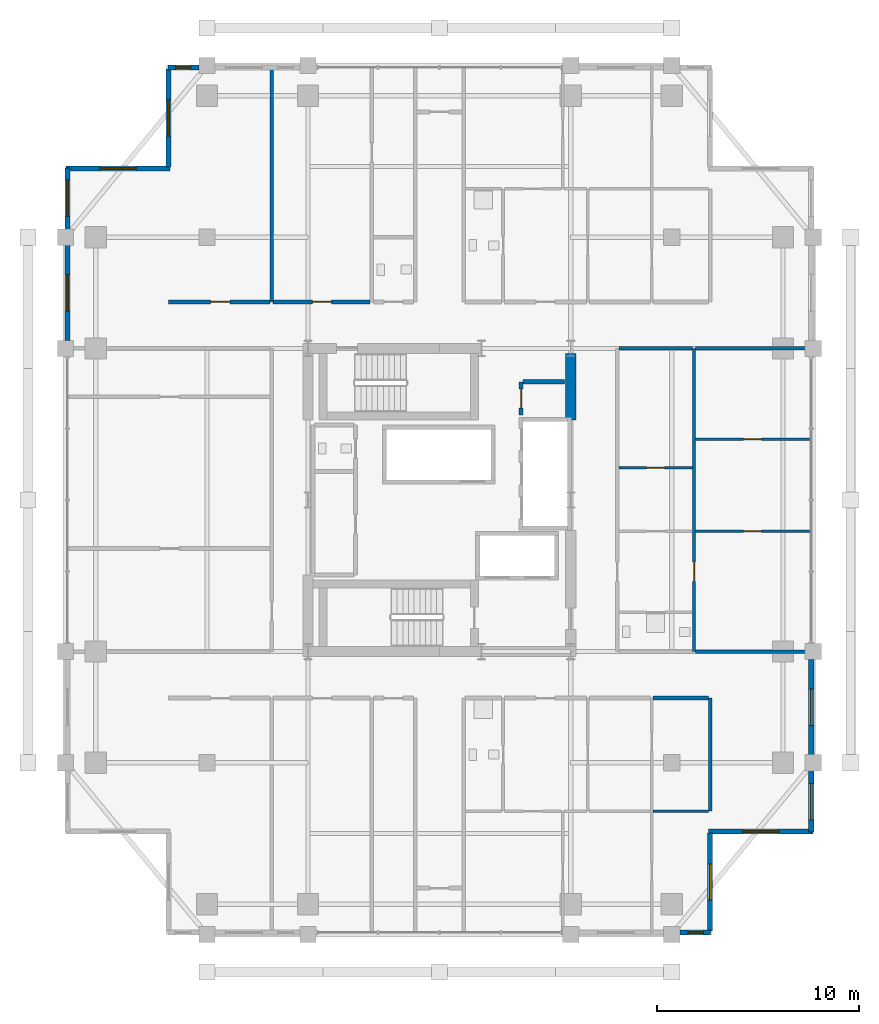
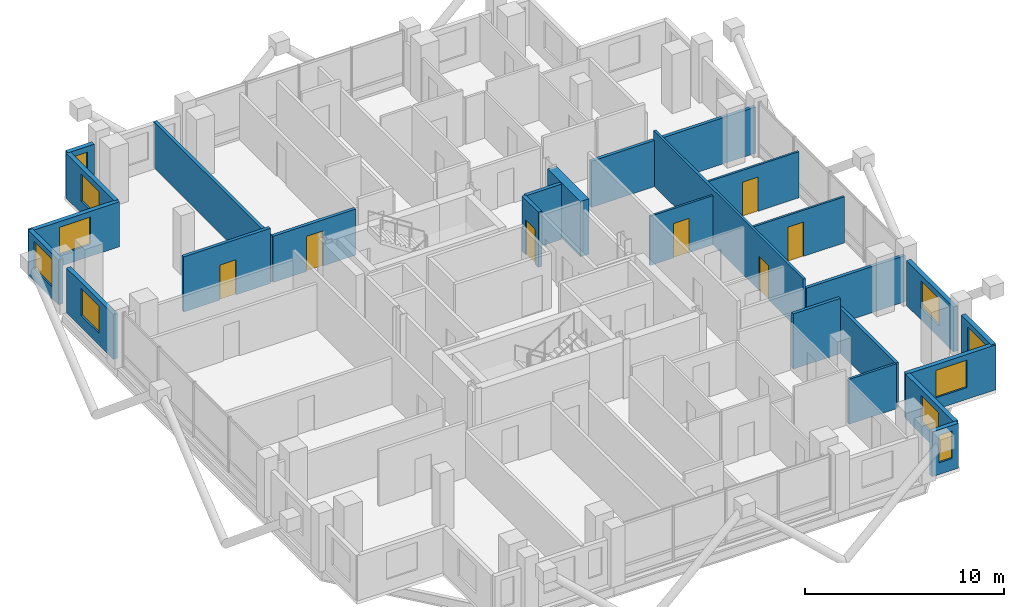
# One storey, part 20 of 24: 26 walls, 10 windows, 7 doors, 17 openings.
"""IFC4 building model written with IfcOpenShell, lengths in metres."""

from ifc_helpers import new_model, si_unit, direction, frame, frame_2d, origin, place, context, subcontext, project, spatial, rectangle, extrude, material, layer, layer_set, type_object, element, fill, save


model = new_model("IFC4")

# Units and contexts
model_context = context("Model", 3, precision=1e-05, world=origin(), true_north=direction((0.0, 1.0)))
body_context = subcontext(model_context, "Body", "Model", "MODEL_VIEW")
ifc_project = project(units=[si_unit("LENGTHUNIT", "METRE"), si_unit("AREAUNIT", "SQUARE_METRE"), si_unit("VOLUMEUNIT", "CUBIC_METRE"), si_unit("PLANEANGLEUNIT", "RADIAN"), si_unit("MASSUNIT", "GRAM", prefix="KILO")], contexts=[model_context])

# Site, building, storey
site_placement = place(None, origin())
site = spatial("IfcSite", under=ifc_project, at=site_placement, CompositionType="ELEMENT")
building_placement = place(site_placement, origin())
building = spatial("IfcBuilding", under=site, at=building_placement, Name="Barlavira Tower and Art Museum", CompositionType="ELEMENT")
storey_placement = place(building_placement, frame((0.0, 0.0, 172.800048828125)))
storey = spatial("IfcBuildingStorey", under=building, at=storey_placement, Name="L44", CompositionType="ELEMENT", Elevation=172.800048828125)

# Wall, opening, door
ifc_material_1 = material(Name="Gypsum acoustic stud partition", Category="gypsum")
ifc_layer_1 = layer(ifc_material_1, 0.1201171875, Name="Gypsum acoustic stud partition")
ifc_layer_set_1 = layer_set([ifc_layer_1], Name="Gypsum acoustic stud partition")
wall_type_1 = type_object("IfcWallType", Name="Apartment Internal Acoustic Partition 120", PredefinedType="PARTITIONING", material=ifc_layer_set_1)
wall_1_placement = place(storey_placement, frame((12.679931640625, -1.550048828125, 0.0), z_axis=(0.0, 0.0, 1.0), x_axis=(1.0, 0.0, 0.0)))
wall_1 = element("IfcWall", 1, at=wall_1_placement, inside=storey, type_object=wall_type_1, Name="L44 Partition Wall 45", PredefinedType="PARTITIONING", context=body_context, shape_type="SweptSolid", body=[
    extrude(rectangle(XDim=5.64013671875, YDim=0.1201171875, at=frame_2d((2.820068359375, 0.0))), origin(), (0.0, 0.0, 1.0), 2.825927734375),
])
opening_1_placement = place(wall_1_placement, frame((2.3701171875, 0.0, 0.0)))
opening_1 = element("IfcOpeningElement", 2, at=opening_1_placement, cuts=wall_1, Name="Opening D-01", PredefinedType="OPENING", context=body_context, shape_type="SweptSolid", body=[
    extrude(rectangle(XDim=0.89990234375, YDim=2.10009765625, at=frame_2d((0.449951171875, 1.050048828125))), frame((0.0, 0.070068359375, 0.0), z_axis=(0.0, -1.0, 0.0), x_axis=(1.0, 0.0, 0.0)), (0.0, 0.0, 1.0), 0.14013671875),
])
ifc_material_2 = material(Name="Engineered coastal hardwood", Category="wood")
door_type_1 = type_object("IfcDoorType", Name="Internal Bedroom Timber Flush Door 900x2100", OperationType="NOTDEFINED", PredefinedType="DOOR", material=ifc_material_2)
door_1_placement = place(opening_1_placement, origin())
door_1 = element("IfcDoor", 3, at=door_1_placement, inside=storey, type_object=door_type_1, Name="Apartment E1 Bedroom 1 Door", OperationType="SINGLE_SWING_LEFT", OverallHeight=2.10009765625, OverallWidth=0.89990234375, PredefinedType="DOOR", context=body_context, shape_type="SweptSolid", body=[
    extrude(rectangle(XDim=0.89990234375, YDim=2.10009765625, at=frame_2d((0.449951171875, 1.050048828125))), frame((0.0, 0.02490234375, 0.0), z_axis=(0.0, -1.0, 0.0), x_axis=(1.0, 0.0, 0.0)), (0.0, 0.0, 1.0), 0.050048828125),
])
fill(opening_1, door_1)

wall_2_placement = place(storey_placement, frame((8.8798828125, 1.60009765625, 0.0), z_axis=(0.0, 0.0, 1.0), x_axis=(1.0, 0.0, 0.0)))
wall_2 = element("IfcWall", 4, at=wall_2_placement, inside=storey, type_object=wall_type_1, Name="L44 Partition Wall 47", PredefinedType="PARTITIONING", context=body_context, shape_type="SweptSolid", body=[
    extrude(rectangle(XDim=3.64013671875, YDim=0.1201171875, at=frame_2d((1.820068359375, 0.0))), origin(), (0.0, 0.0, 1.0), 3.010986328125),
])
opening_2_placement = place(wall_2_placement, frame((1.3701171875, 0.0, 0.0)))
opening_2 = element("IfcOpeningElement", 5, at=opening_2_placement, cuts=wall_2, Name="Opening D-01", PredefinedType="OPENING", context=body_context, shape_type="SweptSolid", body=[
    extrude(rectangle(XDim=0.89990234375, YDim=2.10009765625, at=frame_2d((0.449951171875, 1.050048828125))), frame((0.0, 0.070068359375, 0.0), z_axis=(0.0, -1.0, 0.0), x_axis=(1.0, 0.0, 0.0)), (0.0, 0.0, 1.0), 0.14013671875),
])
door_2_placement = place(opening_2_placement, origin())
door_2 = element("IfcDoor", 6, at=door_2_placement, inside=storey, type_object=door_type_1, Name="Apartment E1 Walk-In Dressing Room Door", OperationType="SINGLE_SWING_LEFT", OverallHeight=2.10009765625, OverallWidth=0.89990234375, PredefinedType="DOOR", context=body_context, shape_type="SweptSolid", body=[
    extrude(rectangle(XDim=0.89990234375, YDim=2.10009765625, at=frame_2d((0.449951171875, 1.050048828125))), frame((0.0, 0.02490234375, 0.0), z_axis=(0.0, -1.0, 0.0), x_axis=(1.0, 0.0, 0.0)), (0.0, 0.0, 1.0), 0.050048828125),
])
fill(opening_2, door_2)

wall_3_placement = place(storey_placement, frame((12.679931640625, 3.0, 0.0), z_axis=(0.0, 0.0, 1.0), x_axis=(1.0, 0.0, 0.0)))
wall_3 = element("IfcWall", 7, at=wall_3_placement, inside=storey, type_object=wall_type_1, Name="L44 Partition Wall 48", PredefinedType="PARTITIONING", context=body_context, shape_type="SweptSolid", body=[
    extrude(rectangle(XDim=5.64013671875, YDim=0.1201171875, at=frame_2d((2.820068359375, 0.0))), origin(), (0.0, 0.0, 1.0), 2.825927734375),
])
opening_3_placement = place(wall_3_placement, frame((2.3701171875, 0.0, 0.0)))
opening_3 = element("IfcOpeningElement", 8, at=opening_3_placement, cuts=wall_3, Name="Opening D-01", PredefinedType="OPENING", context=body_context, shape_type="SweptSolid", body=[
    extrude(rectangle(XDim=0.89990234375, YDim=2.10009765625, at=frame_2d((0.449951171875, 1.050048828125))), frame((0.0, 0.070068359375, 0.0), z_axis=(0.0, -1.0, 0.0), x_axis=(1.0, 0.0, 0.0)), (0.0, 0.0, 1.0), 0.14013671875),
])
door_3_placement = place(opening_3_placement, origin())
door_3 = element("IfcDoor", 9, at=door_3_placement, inside=storey, type_object=door_type_1, Name="Apartment E1 Bedroom 2 Door", OperationType="SINGLE_SWING_RIGHT", OverallHeight=2.10009765625, OverallWidth=0.89990234375, PredefinedType="DOOR", context=body_context, shape_type="SweptSolid", body=[
    extrude(rectangle(XDim=0.89990234375, YDim=2.10009765625, at=frame_2d((0.449951171875, 1.050048828125))), frame((0.0, 0.02490234375, 0.0), z_axis=(0.0, -1.0, 0.0), x_axis=(1.0, 0.0, 0.0)), (0.0, 0.0, 1.0), 0.050048828125),
])
fill(opening_3, door_3)

# Wall
ifc_material_3 = material(Name="Concrete C60", Category="concrete")
ifc_layer_2 = layer(ifc_material_3, 0.5, Name="Concrete C60")
ifc_layer_set_2 = layer_set([ifc_layer_2], Name="Concrete C60")
wall_type_2 = type_object("IfcWallType", Name="Core Structural Shear Wall 500 Concrete C60", PredefinedType="SHEAR", material=ifc_layer_set_2)
wall_4_placement = place(storey_placement, frame((6.5, 3.949951171875, 0.0), z_axis=(0.0, 0.0, 1.0), x_axis=(0.0, 1.0, 0.0)))
element("IfcWall", 10, at=wall_4_placement, inside=storey, type_object=wall_type_2, Name="L44 Core Shear Wall CS-E2", PredefinedType="SHEAR", context=body_context, shape_type="SweptSolid", body=[
    extrude(rectangle(XDim=3.300048828125, YDim=0.5, at=frame_2d((1.64990234375, 0.0))), origin(), (0.0, 0.0, 1.0), 3.3798828125),
])

# Wall, opening, door
ifc_material_4 = material(Name="Autoclaved aerated concrete masonry", Category="masonry")
ifc_layer_3 = layer(ifc_material_4, 0.199951171875, Name="Autoclaved aerated concrete masonry")
ifc_layer_set_3 = layer_set([ifc_layer_3], Name="Autoclaved aerated concrete masonry")
wall_type_3 = type_object("IfcWallType", Name="Fire Compartment and Shaft Wall 200", PredefinedType="SOLIDWALL", material=ifc_layer_set_3)
wall_5_placement = place(storey_placement, frame((4.050048828125, 4.199951171875, 0.0), z_axis=(0.0, 0.0, 1.0), x_axis=(0.0, 1.0, 0.0)))
wall_5 = element("IfcWall", 11, at=wall_5_placement, inside=storey, type_object=wall_type_3, Name="L44 Partition Wall 14", PredefinedType="SOLIDWALL", context=body_context, shape_type="SweptSolid", body=[
    extrude(rectangle(XDim=1.650146484375, YDim=0.199951171875, at=frame_2d((0.8251953125, 0.0))), origin(), (0.0, 0.0, 1.0), 3.3798828125),
])
opening_4_placement = place(wall_5_placement, frame((0.344970703125, 0.0, 0.0)))
opening_4 = element("IfcOpeningElement", 12, at=opening_4_placement, cuts=wall_5, Name="Opening FD-60", PredefinedType="OPENING", context=body_context, shape_type="SweptSolid", body=[
    extrude(rectangle(XDim=0.949951171875, YDim=2.14990234375, at=frame_2d((0.47509765625, 1.074951171875))), frame((0.0, 0.10986328125, 0.0), z_axis=(0.0, -1.0, 0.0), x_axis=(1.0, 0.0, 0.0)), (0.0, 0.0, 1.0), 0.219970703125),
])
ifc_material_5 = material(Name="Brushed stainless steel", Category="steel")
door_type_2 = type_object("IfcDoorType", Name="Apartment Entrance and Riser Fire Door 950x2150 FD60S", OperationType="NOTDEFINED", PredefinedType="DOOR", material=ifc_material_5)
door_4_placement = place(opening_4_placement, origin())
door_4 = element("IfcDoor", 13, at=door_4_placement, inside=storey, type_object=door_type_2, Name="Telecom and BMS Distribution Room Door", OperationType="SINGLE_SWING_LEFT", OverallHeight=2.14990234375, OverallWidth=0.949951171875, PredefinedType="DOOR", context=body_context, shape_type="SweptSolid", body=[
    extrude(rectangle(XDim=0.949951171875, YDim=2.14990234375, at=frame_2d((0.47509765625, 1.074951171875))), frame((0.0, 0.02490234375, 0.0), z_axis=(0.0, -1.0, 0.0), x_axis=(1.0, 0.0, 0.0)), (0.0, 0.0, 1.0), 0.050048828125),
])
fill(opening_4, door_4)

# Walls
wall_6_placement = place(storey_placement, frame((4.1298828125, 5.85009765625, 0.0), z_axis=(0.0, 0.0, 1.0), x_axis=(1.0, 0.0, 0.0)))
element("IfcWall", 14, at=wall_6_placement, inside=storey, type_object=wall_type_3, Name="L44 Partition Wall 51", PredefinedType="SOLIDWALL", context=body_context, shape_type="SweptSolid", body=[
    extrude(rectangle(XDim=2.070068359375, YDim=0.199951171875, at=frame_2d((1.03515625, 0.0))), origin(), (0.0, 0.0, 1.0), 3.3798828125),
])
ifc_layer_4 = layer(ifc_material_1, 0.179931640625, Name="Gypsum acoustic stud partition")
ifc_layer_set_4 = layer_set([ifc_layer_4], Name="Gypsum acoustic stud partition")
wall_type_4 = type_object("IfcWallType", Name="Inter-Tenancy Party Partition Wall 180", PredefinedType="PARTITIONING", material=ifc_layer_set_4)
wall_7_placement = place(storey_placement, frame((-8.300048828125, 9.800048828125, 0.0), z_axis=(0.0, 0.0, 1.0), x_axis=(0.0, 1.0, 0.0)))
element("IfcWall", 15, at=wall_7_placement, inside=storey, type_object=wall_type_4, Name="L44 Partition Wall 3", PredefinedType="PARTITIONING", context=body_context, shape_type="SweptSolid", body=[
    extrude(rectangle(XDim=11.599853515625, YDim=0.179931640625, at=frame_2d((5.7998046875, 0.0))), origin(), (0.0, 0.0, 1.0), 2.825927734375),
])
wall_8_placement = place(storey_placement, frame((13.39990234375, -15.39990234375, 0.0), z_axis=(0.0, 0.0, 1.0), x_axis=(0.0, 1.0, 0.0)))
element("IfcWall", 16, at=wall_8_placement, inside=storey, type_object=wall_type_4, Name="L44 Partition Wall 23", PredefinedType="PARTITIONING", context=body_context, shape_type="SweptSolid", body=[
    extrude(rectangle(XDim=5.599853515625, YDim=0.179931640625, at=frame_2d((2.7998046875, 0.0))), origin(), (0.0, 0.0, 1.0), 2.748046875),
])
wall_9_placement = place(storey_placement, frame((10.580078125, -9.800048828125, 0.0), z_axis=(0.0, 0.0, 1.0), x_axis=(1.0, 0.0, 0.0)))
element("IfcWall", 17, at=wall_9_placement, inside=storey, type_object=wall_type_4, Name="L44 Partition Wall 37", PredefinedType="PARTITIONING", context=body_context, shape_type="SweptSolid", body=[
    extrude(rectangle(XDim=2.739990234375, YDim=0.179931640625, at=frame_2d((1.3701171875, 0.0))), origin(), (0.0, 0.0, 1.0), 3.3798828125),
])
wall_10_placement = place(storey_placement, frame((12.679931640625, -7.5, 0.0), z_axis=(0.0, 0.0, 1.0), x_axis=(1.0, 0.0, 0.0)))
element("IfcWall", 18, at=wall_10_placement, inside=storey, type_object=wall_type_4, Name="L44 Partition Wall 40", PredefinedType="PARTITIONING", context=body_context, shape_type="SweptSolid", body=[
    extrude(rectangle(XDim=5.719970703125, YDim=0.179931640625, at=frame_2d((2.85986328125, 0.0))), origin(), (0.0, 0.0, 1.0), 2.825927734375),
])
wall_11_placement = place(storey_placement, frame((8.8798828125, 7.5, 0.0), z_axis=(0.0, 0.0, 1.0), x_axis=(1.0, 0.0, 0.0)))
element("IfcWall", 19, at=wall_11_placement, inside=storey, type_object=wall_type_4, Name="L44 Partition Wall 53", PredefinedType="PARTITIONING", context=body_context, shape_type="SweptSolid", body=[
    extrude(rectangle(XDim=3.64013671875, YDim=0.179931640625, at=frame_2d((1.820068359375, 0.0))), origin(), (0.0, 0.0, 1.0), 2.825927734375),
])
wall_12_placement = place(storey_placement, frame((12.679931640625, 7.5, 0.0), z_axis=(0.0, 0.0, 1.0), x_axis=(1.0, 0.0, 0.0)))
element("IfcWall", 20, at=wall_12_placement, inside=storey, type_object=wall_type_4, Name="L44 Partition Wall 54", PredefinedType="PARTITIONING", context=body_context, shape_type="SweptSolid", body=[
    extrude(rectangle(XDim=5.719970703125, YDim=0.179931640625, at=frame_2d((2.85986328125, 0.0))), origin(), (0.0, 0.0, 1.0), 2.825927734375),
])

# Wall, opening, door
wall_13_placement = place(storey_placement, frame((-13.39990234375, 9.800048828125, 0.0), z_axis=(0.0, 0.0, 1.0), x_axis=(1.0, 0.0, 0.0)))
wall_13 = element("IfcWall", 21, at=wall_13_placement, inside=storey, type_object=wall_type_4, Name="L44 Partition Wall 55", PredefinedType="PARTITIONING", context=body_context, shape_type="SweptSolid", body=[
    extrude(rectangle(XDim=5.02001953125, YDim=0.179931640625, at=frame_2d((2.510009765625, 0.0))), origin(), (0.0, 0.0, 1.0), 3.3798828125),
])
opening_5_placement = place(wall_13_placement, frame((2.0849609375, 0.0, 0.0)))
opening_5 = element("IfcOpeningElement", 22, at=opening_5_placement, cuts=wall_13, Name="Opening FD-60", PredefinedType="OPENING", context=body_context, shape_type="SweptSolid", body=[
    extrude(rectangle(XDim=0.949951171875, YDim=2.14990234375, at=frame_2d((0.47509765625, 1.074951171875))), frame((0.0, 0.10009765625, 0.0), z_axis=(0.0, -1.0, 0.0), x_axis=(1.0, 0.0, 0.0)), (0.0, 0.0, 1.0), 0.199951171875),
])
door_5_placement = place(opening_5_placement, origin())
door_5 = element("IfcDoor", 23, at=door_5_placement, inside=storey, type_object=door_type_2, Name="Resident Ocean-View Fitness Studio Door", OperationType="SINGLE_SWING_RIGHT", OverallHeight=2.14990234375, OverallWidth=0.949951171875, PredefinedType="DOOR", context=body_context, shape_type="SweptSolid", body=[
    extrude(rectangle(XDim=0.949951171875, YDim=2.14990234375, at=frame_2d((0.47509765625, 1.074951171875))), frame((0.0, 0.02490234375, 0.0), z_axis=(0.0, -1.0, 0.0), x_axis=(1.0, 0.0, 0.0)), (0.0, 0.0, 1.0), 0.050048828125),
])
fill(opening_5, door_5)

wall_14_placement = place(storey_placement, frame((-8.219970703125, 9.800048828125, 0.0), z_axis=(0.0, 0.0, 1.0), x_axis=(1.0, 0.0, 0.0)))
wall_14 = element("IfcWall", 24, at=wall_14_placement, inside=storey, type_object=wall_type_4, Name="L44 Partition Wall 56", PredefinedType="PARTITIONING", context=body_context, shape_type="SweptSolid", body=[
    extrude(rectangle(XDim=4.7900390625, YDim=0.179931640625, at=frame_2d((2.39501953125, 0.0))), origin(), (0.0, 0.0, 1.0), 2.825927734375),
])
opening_6_placement = place(wall_14_placement, frame((1.93505859375, 0.0, 0.0)))
opening_6 = element("IfcOpeningElement", 25, at=opening_6_placement, cuts=wall_14, Name="Opening FD-60", PredefinedType="OPENING", context=body_context, shape_type="SweptSolid", body=[
    extrude(rectangle(XDim=0.949951171875, YDim=2.14990234375, at=frame_2d((0.47509765625, 1.074951171875))), frame((0.0, 0.10009765625, 0.0), z_axis=(0.0, -1.0, 0.0), x_axis=(1.0, 0.0, 0.0)), (0.0, 0.0, 1.0), 0.199951171875),
])
door_6_placement = place(opening_6_placement, origin())
door_6 = element("IfcDoor", 26, at=door_6_placement, inside=storey, type_object=door_type_2, Name="Coastal Hydrotherapy and Yoga Lounge Door", OperationType="SINGLE_SWING_LEFT", OverallHeight=2.14990234375, OverallWidth=0.949951171875, PredefinedType="DOOR", context=body_context, shape_type="SweptSolid", body=[
    extrude(rectangle(XDim=0.949951171875, YDim=2.14990234375, at=frame_2d((0.47509765625, 1.074951171875))), frame((0.0, 0.02490234375, 0.0), z_axis=(0.0, -1.0, 0.0), x_axis=(1.0, 0.0, 0.0)), (0.0, 0.0, 1.0), 0.050048828125),
])
fill(opening_6, door_6)

ifc_layer_5 = layer(ifc_material_1, 0.139892578125, Name="Gypsum acoustic stud partition")
ifc_layer_set_5 = layer_set([ifc_layer_5], Name="Gypsum acoustic stud partition")
wall_type_5 = type_object("IfcWallType", Name="Moisture-Resistant Bathroom Partition 140", PredefinedType="PARTITIONING", material=ifc_layer_set_5)
wall_15_placement = place(storey_placement, frame((12.60009765625, -7.5, 0.0), z_axis=(0.0, 0.0, 1.0), x_axis=(0.0, 1.0, 0.0)))
wall_15 = element("IfcWall", 27, at=wall_15_placement, inside=storey, type_object=wall_type_5, Name="L44 Partition Wall 22", PredefinedType="PARTITIONING", context=body_context, shape_type="SweptSolid", body=[
    extrude(rectangle(XDim=15.0, YDim=0.139892578125, at=frame_2d((7.5, 0.0))), origin(), (0.0, 0.0, 1.0), 3.3798828125),
])
opening_7_placement = place(wall_15_placement, frame((3.47509765625, 0.0, 0.0)))
opening_7 = element("IfcOpeningElement", 28, at=opening_7_placement, cuts=wall_15, Name="Opening D-02", PredefinedType="OPENING", context=body_context, shape_type="SweptSolid", body=[
    extrude(rectangle(XDim=0.949951171875, YDim=2.10009765625, at=frame_2d((0.47509765625, 1.050048828125))), frame((0.0, 0.080078125, 0.0), z_axis=(0.0, -1.0, 0.0), x_axis=(1.0, 0.0, 0.0)), (0.0, 0.0, 1.0), 0.159912109375),
])
door_type_3 = type_object("IfcDoorType", Name="Living and Salon Glazed-Leaf Door 950x2100", OperationType="NOTDEFINED", PredefinedType="DOOR", material=ifc_material_2)
door_7_placement = place(opening_7_placement, origin())
door_7 = element("IfcDoor", 29, at=door_7_placement, inside=storey, type_object=door_type_3, Name="Apartment E1 Living Lounge Door", OperationType="SINGLE_SWING_RIGHT", OverallHeight=2.10009765625, OverallWidth=0.949951171875, PredefinedType="DOOR", context=body_context, shape_type="SweptSolid", body=[
    extrude(rectangle(XDim=0.949951171875, YDim=2.10009765625, at=frame_2d((0.47509765625, 1.050048828125))), frame((0.0, 0.02490234375, 0.0), z_axis=(0.0, -1.0, 0.0), x_axis=(1.0, 0.0, 0.0)), (0.0, 0.0, 1.0), 0.050048828125),
])
fill(opening_7, door_7)

# Wall
wall_16_placement = place(storey_placement, frame((10.580078125, -15.39990234375, 0.0), z_axis=(0.0, 0.0, 1.0), x_axis=(1.0, 0.0, 0.0)))
element("IfcWall", 30, at=wall_16_placement, inside=storey, type_object=wall_type_5, Name="L44 Partition Wall 30", PredefinedType="PARTITIONING", context=body_context, shape_type="SweptSolid", body=[
    extrude(rectangle(XDim=2.739990234375, YDim=0.139892578125, at=frame_2d((1.3701171875, 0.0))), origin(), (0.0, 0.0, 1.0), 2.748046875),
])

# Wall, opening, window
ifc_material_6 = material(Name="Precast concrete C40", Category="concrete")
ifc_layer_6 = layer(ifc_material_6, 0.25, Name="Precast concrete C40")
ifc_layer_set_6 = layer_set([ifc_layer_6], Name="Precast concrete C40")
wall_type_6 = type_object("IfcWallType", Name="Notched Corner Spandrel Wall 250 Precast Concrete C40", PredefinedType="SOLIDWALL", material=ifc_layer_set_6)
wall_17_placement = place(storey_placement, frame((11.89501953125, -21.39990234375, 0.0), z_axis=(0.0, 0.0, 1.0), x_axis=(1.0, 0.0, 0.0)))
wall_17 = element("IfcWall", 31, at=wall_17_placement, inside=storey, type_object=wall_type_6, Name="L44 Coastal Facade Pier Wall CW3-L44-S-5", PredefinedType="SOLIDWALL", context=body_context, shape_type="SweptSolid", body=[
    extrude(rectangle(XDim=1.530029296875, YDim=0.25, at=frame_2d((0.76513671875, 0.0))), origin(), (0.0, 0.0, 1.0), 2.748046875),
])
opening_8_placement = place(wall_17_placement, frame((0.407958984375, 0.0, 0.719970703125)))
opening_8 = element("IfcOpeningElement", 32, at=opening_8_placement, cuts=wall_17, Name="Opening WN-06", PredefinedType="OPENING", context=body_context, shape_type="SweptSolid", body=[
    extrude(rectangle(XDim=0.760009765625, YDim=1.679931640625, at=frame_2d((0.3798828125, 0.83984375))), frame((0.0, 0.135009765625, 0.0), z_axis=(0.0, -1.0, 0.0), x_axis=(1.0, 0.0, 0.0)), (0.0, 0.0, 1.0), 0.27001953125),
])
ifc_material_7 = material(Name="Low-iron coastal laminated glass", Category="glass")
window_type_1 = type_object("IfcWindowType", Name="Recessed Narrow Pier Window 760x1680", PartitioningType="SINGLE_PANEL", PredefinedType="WINDOW", material=ifc_material_7)
window_1_placement = place(opening_8_placement, origin())
window_1 = element("IfcWindow", 33, at=window_1_placement, inside=storey, type_object=window_type_1, Name="L44 Punched Facade Window EWP-CW3-L44-S-5-1", OverallHeight=1.679931640625, OverallWidth=0.760009765625, PartitioningType="SINGLE_PANEL", PredefinedType="WINDOW", context=body_context, shape_type="SweptSolid", body=[
    extrude(rectangle(XDim=0.760009765625, YDim=1.679931640625, at=frame_2d((0.3798828125, 0.83984375))), frame((0.0, 0.030029296875, 0.0), z_axis=(0.0, -1.0, 0.0), x_axis=(1.0, 0.0, 0.0)), (0.0, 0.0, 1.0), 0.06005859375),
])
fill(opening_8, window_1)

wall_18_placement = place(storey_placement, frame((-11.89501953125, 21.39990234375, 0.0), z_axis=(0.0, 0.0, 1.0), x_axis=(-1.0, 0.0, 0.0)))
wall_18 = element("IfcWall", 34, at=wall_18_placement, inside=storey, type_object=wall_type_6, Name="L44 Coastal Facade Pier Wall CW3-L44-N-5", PredefinedType="SOLIDWALL", context=body_context, shape_type="SweptSolid", body=[
    extrude(rectangle(XDim=1.530029296875, YDim=0.25, at=frame_2d((0.76513671875, 0.0))), origin(), (0.0, 0.0, 1.0), 2.748046875),
])
opening_9_placement = place(wall_18_placement, frame((0.407958984375, 0.0, 0.719970703125)))
opening_9 = element("IfcOpeningElement", 35, at=opening_9_placement, cuts=wall_18, Name="Opening WN-06", PredefinedType="OPENING", context=body_context, shape_type="SweptSolid", body=[
    extrude(rectangle(XDim=0.760009765625, YDim=1.679931640625, at=frame_2d((0.3798828125, 0.83984375))), frame((0.0, 0.135009765625, 0.0), z_axis=(0.0, -1.0, 0.0), x_axis=(1.0, 0.0, 0.0)), (0.0, 0.0, 1.0), 0.27001953125),
])
window_2_placement = place(opening_9_placement, origin())
window_2 = element("IfcWindow", 36, at=window_2_placement, inside=storey, type_object=window_type_1, Name="L44 Punched Facade Window EWP-CW3-L44-N-5-1", OverallHeight=1.679931640625, OverallWidth=0.760009765625, PartitioningType="SINGLE_PANEL", PredefinedType="WINDOW", context=body_context, shape_type="SweptSolid", body=[
    extrude(rectangle(XDim=0.760009765625, YDim=1.679931640625, at=frame_2d((0.3798828125, 0.83984375))), frame((0.0, 0.030029296875, 0.0), z_axis=(0.0, -1.0, 0.0), x_axis=(1.0, 0.0, 0.0)), (0.0, 0.0, 1.0), 0.06005859375),
])
fill(opening_9, window_2)

wall_19_placement = place(storey_placement, frame((-18.39990234375, 16.425048828125, 0.0), z_axis=(0.0, 0.0, 1.0), x_axis=(0.0, -1.0, 0.0)))
wall_19 = element("IfcWall", 37, at=wall_19_placement, inside=storey, type_object=wall_type_6, Name="L44 Coastal Facade Pier Wall CW3-L44-W-1", PredefinedType="SOLIDWALL", context=body_context, shape_type="SweptSolid", body=[
    extrude(rectangle(XDim=3.030029296875, YDim=0.25, at=frame_2d((1.51513671875, 0.0))), origin(), (0.0, 0.0, 1.0), 2.748046875),
])
opening_10_placement = place(wall_19_placement, frame((0.593017578125, 0.0, 0.719970703125)))
opening_10 = element("IfcOpeningElement", 38, at=opening_10_placement, cuts=wall_19, Name="Opening WN-01", PredefinedType="OPENING", context=body_context, shape_type="SweptSolid", body=[
    extrude(rectangle(XDim=1.800048828125, YDim=1.679931640625, at=frame_2d((0.89990234375, 0.83984375))), frame((0.0, 0.135009765625, 0.0), z_axis=(0.0, -1.0, 0.0), x_axis=(1.0, 0.0, 0.0)), (0.0, 0.0, 1.0), 0.27001953125),
])
window_type_2 = type_object("IfcWindowType", Name="Recessed Notch Corner Punch Window 1800x1680", PartitioningType="SINGLE_PANEL", PredefinedType="WINDOW", material=ifc_material_7)
window_3_placement = place(opening_10_placement, origin())
window_3 = element("IfcWindow", 39, at=window_3_placement, inside=storey, type_object=window_type_2, Name="L44 Punched Facade Window EWP-CW3-L44-W-1-1", OverallHeight=1.679931640625, OverallWidth=1.800048828125, PartitioningType="SINGLE_PANEL", PredefinedType="WINDOW", context=body_context, shape_type="SweptSolid", body=[
    extrude(rectangle(XDim=1.800048828125, YDim=1.679931640625, at=frame_2d((0.89990234375, 0.83984375))), frame((0.0, 0.030029296875, 0.0), z_axis=(0.0, -1.0, 0.0), x_axis=(1.0, 0.0, 0.0)), (0.0, 0.0, 1.0), 0.06005859375),
])
fill(opening_10, window_3)

wall_20_placement = place(storey_placement, frame((-18.39990234375, 12.60498046875, 0.0), z_axis=(0.0, 0.0, 1.0), x_axis=(0.0, -1.0, 0.0)))
wall_20 = element("IfcWall", 40, at=wall_20_placement, inside=storey, type_object=wall_type_6, Name="L44 Coastal Facade Pier Wall CW3-L44-W-2", PredefinedType="SOLIDWALL", context=body_context, shape_type="SweptSolid", body=[
    extrude(rectangle(XDim=4.7099609375, YDim=0.25, at=frame_2d((2.35498046875, 0.0))), origin(), (0.0, 0.0, 1.0), 2.748046875),
])
opening_11_placement = place(wall_20_placement, frame((1.455078125, 0.0, 0.719970703125)))
opening_11 = element("IfcOpeningElement", 41, at=opening_11_placement, cuts=wall_20, Name="Opening WN-01", PredefinedType="OPENING", context=body_context, shape_type="SweptSolid", body=[
    extrude(rectangle(XDim=1.800048828125, YDim=1.679931640625, at=frame_2d((0.89990234375, 0.83984375))), frame((0.0, 0.135009765625, 0.0), z_axis=(0.0, -1.0, 0.0), x_axis=(1.0, 0.0, 0.0)), (0.0, 0.0, 1.0), 0.27001953125),
])
window_4_placement = place(opening_11_placement, origin())
window_4 = element("IfcWindow", 42, at=window_4_placement, inside=storey, type_object=window_type_2, Name="L44 Punched Facade Window EWP-CW3-L44-W-2-1", OverallHeight=1.679931640625, OverallWidth=1.800048828125, PartitioningType="SINGLE_PANEL", PredefinedType="WINDOW", context=body_context, shape_type="SweptSolid", body=[
    extrude(rectangle(XDim=1.800048828125, YDim=1.679931640625, at=frame_2d((0.89990234375, 0.83984375))), frame((0.0, 0.030029296875, 0.0), z_axis=(0.0, -1.0, 0.0), x_axis=(1.0, 0.0, 0.0)), (0.0, 0.0, 1.0), 0.06005859375),
])
fill(opening_11, window_4)

wall_21_placement = place(storey_placement, frame((18.39990234375, -16.425048828125, 0.0), z_axis=(0.0, 0.0, 1.0), x_axis=(0.0, 1.0, 0.0)))
wall_21 = element("IfcWall", 43, at=wall_21_placement, inside=storey, type_object=wall_type_6, Name="L44 Coastal Facade Pier Wall CW3-L44-E-1", PredefinedType="SOLIDWALL", context=body_context, shape_type="SweptSolid", body=[
    extrude(rectangle(XDim=3.030029296875, YDim=0.25, at=frame_2d((1.51513671875, 0.0))), origin(), (0.0, 0.0, 1.0), 2.748046875),
])
opening_12_placement = place(wall_21_placement, frame((0.593017578125, 0.0, 0.719970703125)))
opening_12 = element("IfcOpeningElement", 44, at=opening_12_placement, cuts=wall_21, Name="Opening WN-01", PredefinedType="OPENING", context=body_context, shape_type="SweptSolid", body=[
    extrude(rectangle(XDim=1.800048828125, YDim=1.679931640625, at=frame_2d((0.89990234375, 0.83984375))), frame((0.0, 0.135009765625, 0.0), z_axis=(0.0, -1.0, 0.0), x_axis=(1.0, 0.0, 0.0)), (0.0, 0.0, 1.0), 0.27001953125),
])
window_5_placement = place(opening_12_placement, origin())
window_5 = element("IfcWindow", 45, at=window_5_placement, inside=storey, type_object=window_type_2, Name="L44 Punched Facade Window EWP-CW3-L44-E-1-1", OverallHeight=1.679931640625, OverallWidth=1.800048828125, PartitioningType="SINGLE_PANEL", PredefinedType="WINDOW", context=body_context, shape_type="SweptSolid", body=[
    extrude(rectangle(XDim=1.800048828125, YDim=1.679931640625, at=frame_2d((0.89990234375, 0.83984375))), frame((0.0, 0.030029296875, 0.0), z_axis=(0.0, -1.0, 0.0), x_axis=(1.0, 0.0, 0.0)), (0.0, 0.0, 1.0), 0.06005859375),
])
fill(opening_12, window_5)

wall_22_placement = place(storey_placement, frame((18.39990234375, -12.60498046875, 0.0), z_axis=(0.0, 0.0, 1.0), x_axis=(0.0, 1.0, 0.0)))
wall_22 = element("IfcWall", 46, at=wall_22_placement, inside=storey, type_object=wall_type_6, Name="L44 Coastal Facade Pier Wall CW3-L44-E-2", PredefinedType="SOLIDWALL", context=body_context, shape_type="SweptSolid", body=[
    extrude(rectangle(XDim=4.7099609375, YDim=0.25, at=frame_2d((2.35498046875, 0.0))), origin(), (0.0, 0.0, 1.0), 2.748046875),
])
opening_13_placement = place(wall_22_placement, frame((1.455078125, 0.0, 0.719970703125)))
opening_13 = element("IfcOpeningElement", 47, at=opening_13_placement, cuts=wall_22, Name="Opening WN-01", PredefinedType="OPENING", context=body_context, shape_type="SweptSolid", body=[
    extrude(rectangle(XDim=1.800048828125, YDim=1.679931640625, at=frame_2d((0.89990234375, 0.83984375))), frame((0.0, 0.135009765625, 0.0), z_axis=(0.0, -1.0, 0.0), x_axis=(1.0, 0.0, 0.0)), (0.0, 0.0, 1.0), 0.27001953125),
])
window_6_placement = place(opening_13_placement, origin())
window_6 = element("IfcWindow", 48, at=window_6_placement, inside=storey, type_object=window_type_2, Name="L44 Punched Facade Window EWP-CW3-L44-E-2-1", OverallHeight=1.679931640625, OverallWidth=1.800048828125, PartitioningType="SINGLE_PANEL", PredefinedType="WINDOW", context=body_context, shape_type="SweptSolid", body=[
    extrude(rectangle(XDim=1.800048828125, YDim=1.679931640625, at=frame_2d((0.89990234375, 0.83984375))), frame((0.0, 0.030029296875, 0.0), z_axis=(0.0, -1.0, 0.0), x_axis=(1.0, 0.0, 0.0)), (0.0, 0.0, 1.0), 0.06005859375),
])
fill(opening_13, window_6)

wall_23_placement = place(storey_placement, frame((13.39990234375, -21.320068359375, 0.0), z_axis=(0.0, 0.0, 1.0), x_axis=(0.0, 1.0, 0.0)))
wall_23 = element("IfcWall", 49, at=wall_23_placement, inside=storey, type_object=wall_type_6, Name="L44 Notch Corner Wall SE1", PredefinedType="SOLIDWALL", context=body_context, shape_type="SweptSolid", body=[
    extrude(rectangle(XDim=4.840087890625, YDim=0.25, at=frame_2d((2.419921875, 0.0))), origin(), (0.0, 0.0, 1.0), 2.748046875),
])
opening_14_placement = place(wall_23_placement, frame((1.52001953125, 0.0, 0.719970703125)))
opening_14 = element("IfcOpeningElement", 50, at=opening_14_placement, cuts=wall_23, Name="Opening WN-01", PredefinedType="OPENING", context=body_context, shape_type="SweptSolid", body=[
    extrude(rectangle(XDim=1.800048828125, YDim=1.679931640625, at=frame_2d((0.89990234375, 0.83984375))), frame((0.0, 0.135009765625, 0.0), z_axis=(0.0, -1.0, 0.0), x_axis=(1.0, 0.0, 0.0)), (0.0, 0.0, 1.0), 0.27001953125),
])
window_7_placement = place(opening_14_placement, origin())
window_7 = element("IfcWindow", 51, at=window_7_placement, inside=storey, type_object=window_type_2, Name="L44 Punched Facade Window EW-NTC-L44-SE1-1", OverallHeight=1.679931640625, OverallWidth=1.800048828125, PartitioningType="SINGLE_PANEL", PredefinedType="WINDOW", context=body_context, shape_type="SweptSolid", body=[
    extrude(rectangle(XDim=1.800048828125, YDim=1.679931640625, at=frame_2d((0.89990234375, 0.83984375))), frame((0.0, 0.030029296875, 0.0), z_axis=(0.0, -1.0, 0.0), x_axis=(1.0, 0.0, 0.0)), (0.0, 0.0, 1.0), 0.06005859375),
])
fill(opening_14, window_7)

wall_24_placement = place(storey_placement, frame((13.320068359375, -16.39990234375, 0.0), z_axis=(0.0, 0.0, 1.0), x_axis=(1.0, 0.0, 0.0)))
wall_24 = element("IfcWall", 52, at=wall_24_placement, inside=storey, type_object=wall_type_6, Name="L44 Notch Corner Wall SE2", PredefinedType="SOLIDWALL", context=body_context, shape_type="SweptSolid", body=[
    extrude(rectangle(XDim=5.159912109375, YDim=0.25, at=frame_2d((2.580078125, 0.0))), origin(), (0.0, 0.0, 1.0), 2.748046875),
])
opening_15_placement = place(wall_24_placement, frame((1.679931640625, 0.0, 0.719970703125)))
opening_15 = element("IfcOpeningElement", 53, at=opening_15_placement, cuts=wall_24, Name="Opening WN-01", PredefinedType="OPENING", context=body_context, shape_type="SweptSolid", body=[
    extrude(rectangle(XDim=1.800048828125, YDim=1.679931640625, at=frame_2d((0.89990234375, 0.83984375))), frame((0.0, 0.135009765625, 0.0), z_axis=(0.0, -1.0, 0.0), x_axis=(1.0, 0.0, 0.0)), (0.0, 0.0, 1.0), 0.27001953125),
])
window_8_placement = place(opening_15_placement, origin())
window_8 = element("IfcWindow", 54, at=window_8_placement, inside=storey, type_object=window_type_2, Name="L44 Punched Facade Window EW-NTC-L44-SE2-1", OverallHeight=1.679931640625, OverallWidth=1.800048828125, PartitioningType="SINGLE_PANEL", PredefinedType="WINDOW", context=body_context, shape_type="SweptSolid", body=[
    extrude(rectangle(XDim=1.800048828125, YDim=1.679931640625, at=frame_2d((0.89990234375, 0.83984375))), frame((0.0, 0.030029296875, 0.0), z_axis=(0.0, -1.0, 0.0), x_axis=(1.0, 0.0, 0.0)), (0.0, 0.0, 1.0), 0.06005859375),
])
fill(opening_15, window_8)

wall_25_placement = place(storey_placement, frame((-13.39990234375, 21.320068359375, 0.0), z_axis=(0.0, 0.0, 1.0), x_axis=(0.0, -1.0, 0.0)))
wall_25 = element("IfcWall", 55, at=wall_25_placement, inside=storey, type_object=wall_type_6, Name="L44 Notch Corner Wall NW1", PredefinedType="SOLIDWALL", context=body_context, shape_type="SweptSolid", body=[
    extrude(rectangle(XDim=4.840087890625, YDim=0.25, at=frame_2d((2.419921875, 0.0))), origin(), (0.0, 0.0, 1.0), 2.748046875),
])
opening_16_placement = place(wall_25_placement, frame((1.52001953125, 0.0, 0.719970703125)))
opening_16 = element("IfcOpeningElement", 56, at=opening_16_placement, cuts=wall_25, Name="Opening WN-01", PredefinedType="OPENING", context=body_context, shape_type="SweptSolid", body=[
    extrude(rectangle(XDim=1.800048828125, YDim=1.679931640625, at=frame_2d((0.89990234375, 0.83984375))), frame((0.0, 0.135009765625, 0.0), z_axis=(0.0, -1.0, 0.0), x_axis=(1.0, 0.0, 0.0)), (0.0, 0.0, 1.0), 0.27001953125),
])
window_9_placement = place(opening_16_placement, origin())
window_9 = element("IfcWindow", 57, at=window_9_placement, inside=storey, type_object=window_type_2, Name="L44 Punched Facade Window EW-NTC-L44-NW1-1", OverallHeight=1.679931640625, OverallWidth=1.800048828125, PartitioningType="SINGLE_PANEL", PredefinedType="WINDOW", context=body_context, shape_type="SweptSolid", body=[
    extrude(rectangle(XDim=1.800048828125, YDim=1.679931640625, at=frame_2d((0.89990234375, 0.83984375))), frame((0.0, 0.030029296875, 0.0), z_axis=(0.0, -1.0, 0.0), x_axis=(1.0, 0.0, 0.0)), (0.0, 0.0, 1.0), 0.06005859375),
])
fill(opening_16, window_9)

wall_26_placement = place(storey_placement, frame((-13.320068359375, 16.39990234375, 0.0), z_axis=(0.0, 0.0, 1.0), x_axis=(-1.0, 0.0, 0.0)))
wall_26 = element("IfcWall", 58, at=wall_26_placement, inside=storey, type_object=wall_type_6, Name="L44 Notch Corner Wall NW2", PredefinedType="SOLIDWALL", context=body_context, shape_type="SweptSolid", body=[
    extrude(rectangle(XDim=5.159912109375, YDim=0.25, at=frame_2d((2.580078125, 0.0))), origin(), (0.0, 0.0, 1.0), 2.748046875),
])
opening_17_placement = place(wall_26_placement, frame((1.679931640625, 0.0, 0.719970703125)))
opening_17 = element("IfcOpeningElement", 59, at=opening_17_placement, cuts=wall_26, Name="Opening WN-01", PredefinedType="OPENING", context=body_context, shape_type="SweptSolid", body=[
    extrude(rectangle(XDim=1.800048828125, YDim=1.679931640625, at=frame_2d((0.89990234375, 0.83984375))), frame((0.0, 0.135009765625, 0.0), z_axis=(0.0, -1.0, 0.0), x_axis=(1.0, 0.0, 0.0)), (0.0, 0.0, 1.0), 0.27001953125),
])
window_10_placement = place(opening_17_placement, origin())
window_10 = element("IfcWindow", 60, at=window_10_placement, inside=storey, type_object=window_type_2, Name="L44 Punched Facade Window EW-NTC-L44-NW2-1", OverallHeight=1.679931640625, OverallWidth=1.800048828125, PartitioningType="SINGLE_PANEL", PredefinedType="WINDOW", context=body_context, shape_type="SweptSolid", body=[
    extrude(rectangle(XDim=1.800048828125, YDim=1.679931640625, at=frame_2d((0.89990234375, 0.83984375))), frame((0.0, 0.030029296875, 0.0), z_axis=(0.0, -1.0, 0.0), x_axis=(1.0, 0.0, 0.0)), (0.0, 0.0, 1.0), 0.06005859375),
])
fill(opening_17, window_10)

save(model, "model.ifc")
